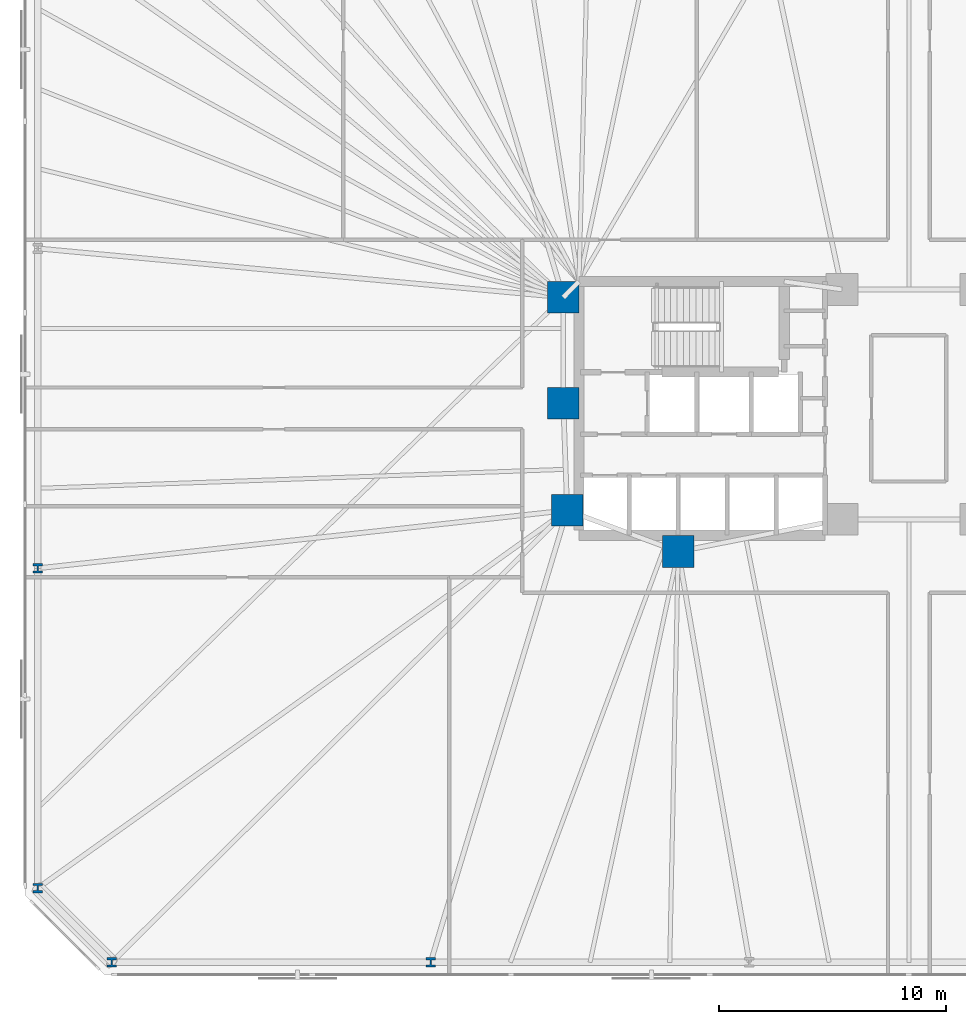
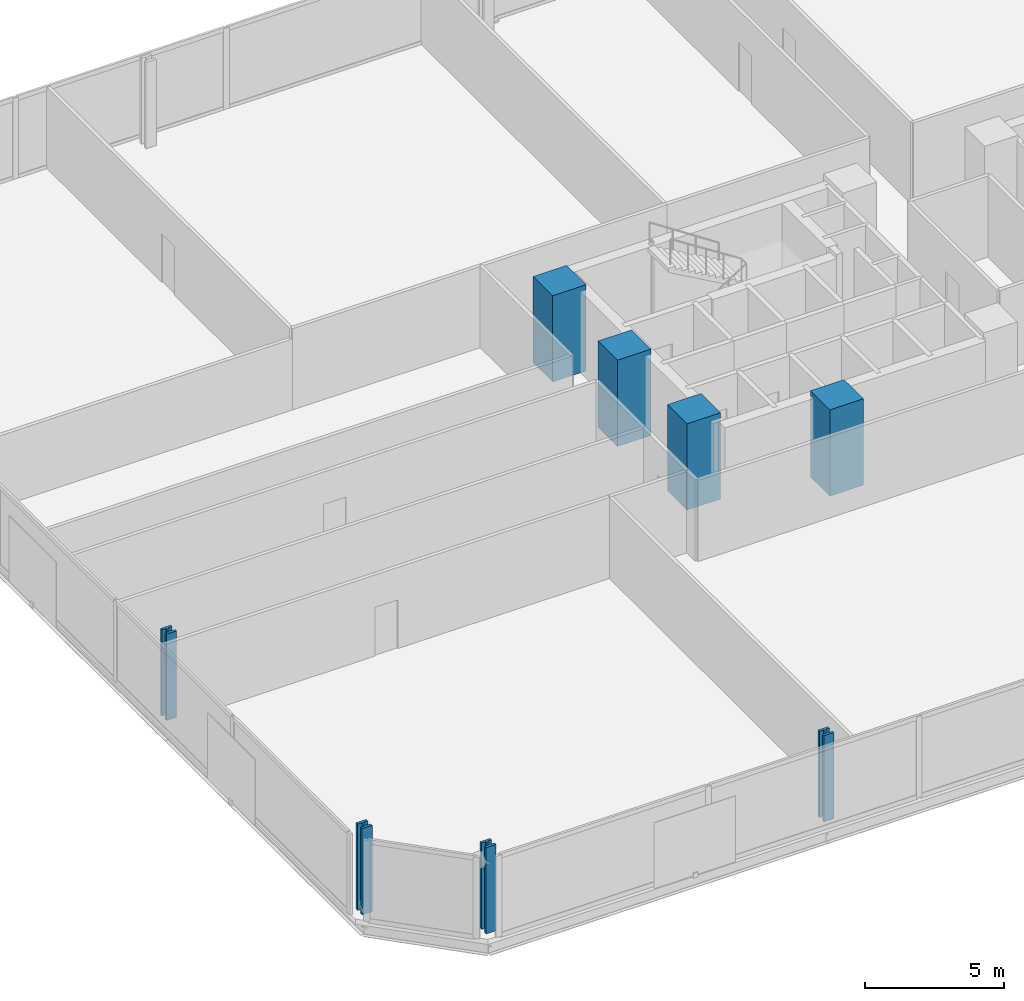
# One storey, part 1 of 17: 8 columns.
"""IFC4 building model written with IfcOpenShell, lengths in metres."""

from ifc_helpers import new_model, si_unit, direction, frame, origin, origin_2d, place, context, subcontext, project, spatial, rectangle, i_section, extrude, material, material_profile, profile_set, type_object, element, save


model = new_model("IFC4")

# Units and contexts
model_context = context("Model", 3, precision=1e-05, world=origin(), true_north=direction((0.0, 1.0)))
body_context = subcontext(model_context, "Body", "Model", "MODEL_VIEW")
ifc_project = project(units=[si_unit("LENGTHUNIT", "METRE"), si_unit("AREAUNIT", "SQUARE_METRE"), si_unit("VOLUMEUNIT", "CUBIC_METRE"), si_unit("PLANEANGLEUNIT", "RADIAN"), si_unit("MASSUNIT", "GRAM", prefix="KILO")], contexts=[model_context])

# Site, building, storey
site_placement = place(None, origin())
site = spatial("IfcSite", under=ifc_project, at=site_placement, CompositionType="ELEMENT")
building_placement = place(site_placement, origin())
building = spatial("IfcBuilding", under=site, at=building_placement, Name="Menara Jurai Vektor", CompositionType="ELEMENT")
storey_placement = place(building_placement, frame((0.0, 0.0, 21.800048828125)))
storey = spatial("IfcBuildingStorey", under=building, at=storey_placement, Name="L04", CompositionType="ELEMENT", Elevation=21.800048828125)

# Columns
ifc_material_1 = material(Name="Concrete C60/75", Category="concrete")
ifc_material_profile_1 = material_profile(ifc_material_1, rectangle(XDim=1.39990234375, YDim=1.39990234375, at=origin_2d()), Name="RC 1400x1400")
ifc_profile_set_1 = profile_set([ifc_material_profile_1], Name="Concrete C60/75")
column_type_1 = type_object("IfcColumnType", Name="STR-COL-RC1400", PredefinedType="COLUMN", material=ifc_profile_set_1)
for number, where, z_axis, x_axis, name in (
    (1, (-15.25, 4.89990234375, 0.0), (0.0, 0.0, 1.0), (1.0, 0.0, 0.0), "Core Spine Column CW-NW L04"),
    (2, (-15.25, 0.219970703125, 0.0), (0.0, 0.0, 1.0), (1.0, 0.0, 0.0), "Core Spine Column CW-WM L04"),
    (3, (-15.080078125, -4.5, 0.0), (0.0, 0.0, 1.0), (1.0, 0.0, 0.0), "Core Spine Column CW-SW L04"),
    (4, (-10.179931640625, -6.320068359375, 0.0), (0.0, 0.0, 1.0), (1.0, 0.0, 0.0), "Core Spine Column CW-SM L04"),
):
    element("IfcColumn", number, at=place(storey_placement, frame(where, z_axis=z_axis, x_axis=x_axis)), inside=storey, type_object=column_type_1, Name=name, PredefinedType="COLUMN", context=body_context, shape_type="SweptSolid", body=[
        extrude(rectangle(XDim=1.39990234375, YDim=1.39990234375, at=origin_2d()), origin(), (0.0, 0.0, 1.0), 3.800048828125),
    ])
ifc_material_2 = material(Name="Steel S460", Category="steel")
ifc_material_profile_2 = material_profile(ifc_material_2, i_section(OverallWidth=0.419921875, OverallDepth=0.430908203125, WebThickness=0.06494140625, FlangeThickness=0.10595703125, FilletRadius=0.014892578125, at=origin_2d()), Name="HD 400x900")
ifc_profile_set_2 = profile_set([ifc_material_profile_2], Name="Steel S460")
column_type_2 = type_object("IfcColumnType", Name="STR-EXO-BLK1", PredefinedType="COLUMN", material=ifc_profile_set_2)
for number, where, z_axis, x_axis, name in (
    (5, (-35.177734375, -24.449951171875, 0.0), (0.0, 0.0, 1.0), (1.0, 0.0, 0.0), "Exoskeleton Column BLK1-S1 L04"),
    (6, (-21.106689453125, -24.449951171875, 0.0), (0.0, 0.0, 1.0), (1.0, 0.0, 0.0), "Exoskeleton Column BLK1-S2 L04"),
    (7, (-38.449951171875, -7.059326171875, 0.0), (0.0, 0.0, 1.0), (1.0, 0.0, 0.0), "Exoskeleton Column BLK1-W3 L04"),
    (8, (-38.449951171875, -21.177734375, 0.0), (0.0, 0.0, 1.0), (1.0, 0.0, 0.0), "Exoskeleton Column BLK1-W4 L04"),
):
    element("IfcColumn", number, at=place(storey_placement, frame(where, z_axis=z_axis, x_axis=x_axis)), inside=storey, type_object=column_type_2, Name=name, PredefinedType="COLUMN", context=body_context, shape_type="SweptSolid", body=[
        extrude(i_section(OverallWidth=0.419921875, OverallDepth=0.430908203125, WebThickness=0.06494140625, FlangeThickness=0.10595703125, FilletRadius=0.014892578125, at=origin_2d()), origin(), (0.0, 0.0, 1.0), 3.800048828125),
    ])

save(model, "model.ifc")
